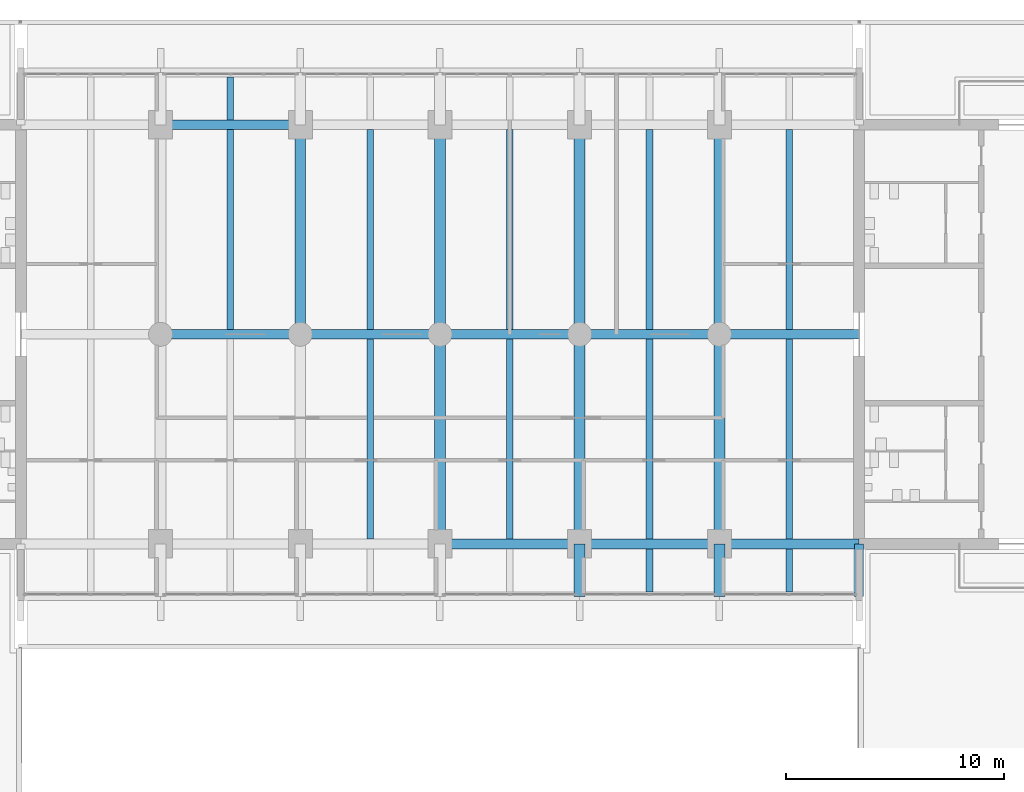
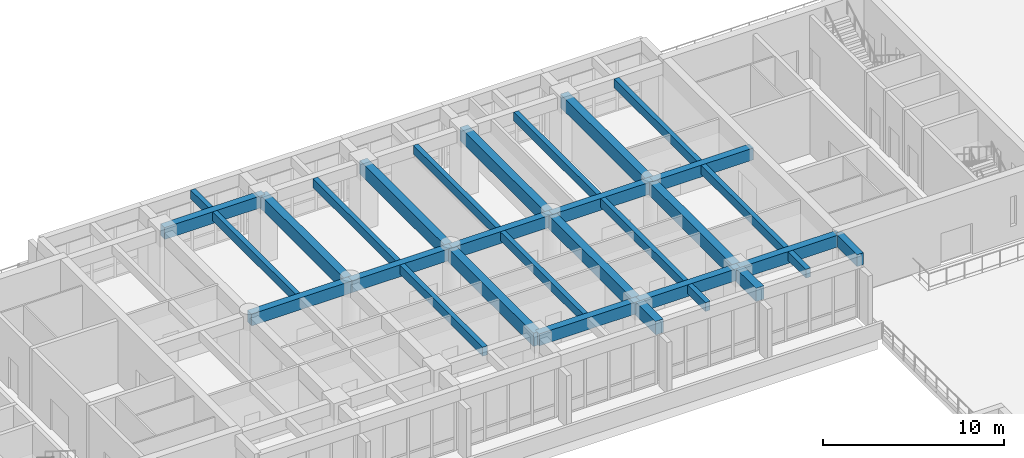
# One storey, part 5 of 21: 31 beams.
"""IFC4 building model written with IfcOpenShell, lengths in metres."""

import ifcopenshell
import ifcopenshell.guid

model = None  # the IFC model being written
_history = None  # IfcOwnerHistory: only IFC2X3 demands one
_inside = {}  # id of a spatial element -> (the spatial element, [elements in it])
_under = {}  # id of a project, library or spatial element -> (it, [spatial elements below it])
_declared = {}  # id of a project -> (the project, [libraries it declares])
_typed = {}  # id of a type object -> (the type object, [elements of that type])
_made_of = {}  # id of a material, layer set ... -> (it, [elements and type objects made of it])


def new_model(schema):
    """Start an empty IFC model of exactly this schema.

    Asked for "IFC4X3", IfcOpenShell would pick the latest addendum, in which some entities
    have other attributes; the version numbers below select the first issue.
    IFC2X3 requires an IfcOwnerHistory on every rooted entity: one is made here for all.
    """
    global model, _history
    if schema == "IFC4X3":
        model = ifcopenshell.file(schema_version=(4, 3, 0, 0))
    else:
        model = ifcopenshell.file(schema=schema)
    _inside.clear()
    _under.clear()
    _declared.clear()
    _typed.clear()
    _made_of.clear()
    _history = None
    if model.schema == "IFC2X3":
        org = make("IfcOrganization", Name="unknown")
        user = make(
            "IfcPersonAndOrganization",
            ThePerson=make("IfcPerson", FamilyName="unknown"),
            TheOrganization=org,
        )
        app = make(
            "IfcApplication",
            ApplicationDeveloper=org,
            Version="unknown",
            ApplicationFullName="unknown",
            ApplicationIdentifier="unknown",
        )
        _history = make(
            "IfcOwnerHistory",
            OwningUser=user,
            OwningApplication=app,
            ChangeAction="ADDED",
            CreationDate=0,
        )
    return model


def make(cls, **values):
    """One entity of the class cls with the attributes given. An attribute that is None is left unset."""
    return model.create_entity(
        cls, **{name: value for name, value in values.items() if value is not None}
    )


def rooted(cls, **values):
    """An entity with a GlobalId (a new one), such as an element, a storey or a relation."""
    return make(cls, GlobalId=ifcopenshell.guid.new(), OwnerHistory=_history, **values)


def si_unit(unit_type, name, prefix=None):
    """IfcSIUnit, for example si_unit("LENGTHUNIT", "METRE", prefix="MILLI")."""
    return make("IfcSIUnit", UnitType=unit_type, Prefix=prefix, Name=name)


def assignment(units):
    """IfcUnitAssignment: the units of a project."""
    return None if units is None else make("IfcUnitAssignment", Units=units)


def point(xyz):
    """IfcCartesianPoint."""
    return None if xyz is None else make("IfcCartesianPoint", Coordinates=xyz)


def direction(xyz):
    """IfcDirection."""
    return None if xyz is None else make("IfcDirection", DirectionRatios=xyz)


def frame(location, z_axis=None, x_axis=None):
    """IfcAxis2Placement3D, a coordinate frame: its origin and axes. An axis left out is left unset."""
    return make(
        "IfcAxis2Placement3D",
        Location=point(location),
        Axis=direction(z_axis),
        RefDirection=direction(x_axis),
    )


def frame_2d(location, x_axis=None):
    """IfcAxis2Placement2D, a coordinate frame in the plane: its origin and x axis."""
    return make(
        "IfcAxis2Placement2D", Location=point(location), RefDirection=direction(x_axis)
    )


def origin():
    """The frame at (0, 0, 0) with its axes left unset."""
    return frame((0.0, 0.0, 0.0))


def origin_2d():
    """The frame at (0, 0) in the plane with its x axis left unset."""
    return frame_2d((0.0, 0.0))


def place(relative_to, where):
    """IfcLocalPlacement: puts the frame where relative to a parent placement (None: the world)."""
    return make(
        "IfcLocalPlacement", PlacementRelTo=relative_to, RelativePlacement=where
    )


def context(
    kind, dimensions, precision=None, world=None, true_north=None, identifier=None
):
    """IfcGeometricRepresentationContext, for example the 3D "Model" context."""
    return make(
        "IfcGeometricRepresentationContext",
        ContextIdentifier=identifier,
        ContextType=kind,
        CoordinateSpaceDimension=dimensions,
        Precision=precision,
        WorldCoordinateSystem=world,
        TrueNorth=true_north,
    )


def subcontext(parent, identifier, kind, view, scale=None):
    """IfcGeometricRepresentationSubContext, for example "Body" below "Model"."""
    return make(
        "IfcGeometricRepresentationSubContext",
        ContextIdentifier=identifier,
        ContextType=kind,
        ParentContext=parent,
        TargetScale=scale,
        TargetView=view,
    )


def project(units=None, contexts=None):
    """IfcProject with its units and contexts."""
    return rooted(
        "IfcProject",
        Name="project",
        RepresentationContexts=contexts,
        UnitsInContext=assignment(units),
    )


def spatial(cls, under=None, at=None, **own):
    """A site, building, storey or space (cls), placed at a placement, below another one or the project."""
    s = rooted(cls, ObjectPlacement=at, **own)
    if under is not None:
        _under.setdefault(under.id(), (under, []))[1].append(s)
    return s


def profile(cls, at=None, kind="AREA", **sizes):
    """A parametric profile (cls). Its sizes go by their IFC names, for example OverallWidth=200.0."""
    return make(cls, ProfileType=kind, Position=at, **sizes)


def rectangle(**sizes):
    """IfcRectangleProfileDef."""
    return profile("IfcRectangleProfileDef", **sizes)


def extrude(swept, where, along, depth):
    """IfcExtrudedAreaSolid: the profile swept, set in the frame where, extruded along a direction by depth."""
    return make(
        "IfcExtrudedAreaSolid",
        SweptArea=swept,
        Position=where,
        ExtrudedDirection=direction(along),
        Depth=depth,
    )


def shape(context_of_items, identifier, shape_type, items):
    """IfcShapeRepresentation: the items that make up one representation, for example the "Body"."""
    return make(
        "IfcShapeRepresentation",
        ContextOfItems=context_of_items,
        RepresentationIdentifier=identifier,
        RepresentationType=shape_type,
        Items=items,
    )


def material(Name=None, Category=None):
    """IfcMaterial."""
    return make("IfcMaterial", Name=Name, Category=Category)


def material_profile(
    of_material, cross_section, Name=None, Category=None, Priority=None
):
    """IfcMaterialProfile: a cross section and its material."""
    return make(
        "IfcMaterialProfile",
        Name=Name,
        Material=of_material,
        Profile=cross_section,
        Priority=Priority,
        Category=Category,
    )


def profile_set(profiles, Name=None, composite=None):
    """IfcMaterialProfileSet."""
    return make(
        "IfcMaterialProfileSet",
        Name=Name,
        MaterialProfiles=profiles,
        CompositeProfile=composite,
    )


def made_of(thing, what):
    """Note that an element or type object is made of a material, layer set ...; save() writes the relation."""
    if what is not None:
        _made_of.setdefault(what.id(), (what, []))[1].append(thing)
    return thing


def type_object(cls, material=None, **own):
    """A type object (cls), such as IfcWallType, which elements share."""
    return made_of(rooted(cls, **own), material)


def element(
    cls,
    number,
    at=None,
    inside=None,
    cuts=None,
    type_object=None,
    material=None,
    context=None,
    identifier="Body",
    shape_type=None,
    held_by="IfcProductDefinitionShape",
    body=None,
    shapes=None,
    **own,
):
    """One element of the class cls, such as IfcWall. Its Tag is "e" and its number.

    at: its placement. inside: the storey or other place that contains it. cuts: it is an
    opening in that element (IfcRelVoidsElement). A single representation is given by context,
    identifier, shape_type and body (its items); several are given by shapes. held_by: the class
    of the entity that holds the representations. save() writes the other relations.
    """
    e = rooted(cls, Tag="e%d" % number, ObjectPlacement=at, **own)
    if body is not None:
        shapes = [shape(context, identifier, shape_type, body)]
    if shapes is not None:
        e.Representation = make(held_by, Representations=shapes)
    if inside is not None:
        _inside.setdefault(inside.id(), (inside, []))[1].append(e)
    if cuts is not None:
        rooted(
            "IfcRelVoidsElement", RelatingBuildingElement=cuts, RelatedOpeningElement=e
        )
    if type_object is not None:
        _typed.setdefault(type_object.id(), (type_object, []))[1].append(e)
    return made_of(e, material)


def aggregate(whole, parts):
    """IfcRelAggregates: a whole, such as a stair, and the parts it consists of."""
    return rooted("IfcRelAggregates", RelatingObject=whole, RelatedObjects=parts)


def save(model, path):
    """Write the relations noted so far, then the file.

    IfcRelAggregates (storeys below a building ...), IfcRelContainedInSpatialStructure (elements
    in a storey), IfcRelDefinesByType, IfcRelAssociatesMaterial and IfcRelDeclares: one each for
    every whole, place, type object, material and project.
    """
    for whole, parts in _under.values():
        aggregate(whole, parts)
    for where, things in _inside.values():
        rooted(
            "IfcRelContainedInSpatialStructure",
            RelatedElements=things,
            RelatingStructure=where,
        )
    for kind, things in _typed.values():
        rooted("IfcRelDefinesByType", RelatedObjects=things, RelatingType=kind)
    for what, things in _made_of.values():
        rooted("IfcRelAssociatesMaterial", RelatedObjects=things, RelatingMaterial=what)
    for by, libraries in _declared.values():
        rooted("IfcRelDeclares", RelatingContext=by, RelatedDefinitions=libraries)
    model.write(path)


model = new_model("IFC4")

# Units and contexts
model_context = context("Model", 3, precision=1e-05, world=origin(), true_north=direction((0.0, 1.0)))
body_context = subcontext(model_context, "Body", "Model", "MODEL_VIEW")
ifc_project = project(units=[si_unit("LENGTHUNIT", "METRE"), si_unit("AREAUNIT", "SQUARE_METRE"), si_unit("VOLUMEUNIT", "CUBIC_METRE"), si_unit("PLANEANGLEUNIT", "RADIAN"), si_unit("MASSUNIT", "GRAM", prefix="KILO")], contexts=[model_context])

# Site, building, storey
site_placement = place(None, origin())
site = spatial("IfcSite", under=ifc_project, at=site_placement, CompositionType="ELEMENT")
building_placement = place(site_placement, origin())
building = spatial("IfcBuilding", under=site, at=building_placement, Name="Fogon Plaza Fire Station and Headquarters Tower", CompositionType="ELEMENT")
storey_placement = place(building_placement, frame((0.0, 0.0, 8.39990234375)))
storey = spatial("IfcBuildingStorey", under=building, at=storey_placement, Name="L02", CompositionType="ELEMENT", Elevation=8.39990234375)

# Beams
ifc_material_1 = material(Name="Concrete C40", Category="concrete")
ifc_material_profile_1 = material_profile(ifc_material_1, rectangle(XDim=0.39990234375, YDim=0.800048828125, at=origin_2d()), Name="RC 400x800")
ifc_profile_set_1 = profile_set([ifc_material_profile_1], Name="Concrete C40")
beam_type_1 = type_object("IfcBeamType", Name="BEAM RC 400x800 SPAN 0.0 TO 3.0 M", PredefinedType="BEAM", material=ifc_profile_set_1)
beam_1_placement = place(storey_placement, frame((64.0, 31.199951171875, 3.880126953125), z_axis=(0.0, 1.0, 0.0), x_axis=(-1.0, 0.0, 0.0)))
element("IfcBeam", 1, at=beam_1_placement, inside=storey, type_object=beam_type_1, Name="beam-L02-053", PredefinedType="BEAM", context=body_context, shape_type="SweptSolid", body=[
    extrude(rectangle(XDim=0.39990234375, YDim=0.800048828125, at=origin_2d()), origin(), (0.0, 0.0, 1.0), 2.400146484375),
])
ifc_material_2 = material(Name="Concrete C40", Category="concrete")
ifc_material_profile_2 = material_profile(ifc_material_2, rectangle(XDim=0.449951171875, YDim=0.800048828125, at=origin_2d()), Name="RC 450x800")
ifc_profile_set_2 = profile_set([ifc_material_profile_2], Name="Concrete C40")
beam_type_2 = type_object("IfcBeamType", Name="BEAM RC 450x800", PredefinedType="BEAM", material=ifc_profile_set_2)
beam_2_placement = place(storey_placement, frame((44.800048828125, 33.60009765625, 3.880126953125), z_axis=(1.0, 0.0, 0.0), x_axis=(0.0, 1.0, 0.0)))
element("IfcBeam", 2, at=beam_2_placement, inside=storey, type_object=beam_type_2, Name="beam-L02-024", PredefinedType="BEAM", context=body_context, shape_type="SweptSolid", body=[
    extrude(rectangle(XDim=0.449951171875, YDim=0.800048828125, at=origin_2d()), origin(), (0.0, 0.0, 1.0), 6.39990234375),
])
beam_3_placement = place(storey_placement, frame((51.199951171875, 33.60009765625, 3.880126953125), z_axis=(1.0, 0.0, 0.0), x_axis=(0.0, 1.0, 0.0)))
element("IfcBeam", 3, at=beam_3_placement, inside=storey, type_object=beam_type_2, Name="beam-L02-025", PredefinedType="BEAM", context=body_context, shape_type="SweptSolid", body=[
    extrude(rectangle(XDim=0.449951171875, YDim=0.800048828125, at=origin_2d()), origin(), (0.0, 0.0, 1.0), 6.400146484375),
])
for number, where, z_axis, x_axis, name in (
    (4, (57.60009765625, 33.60009765625, 3.880126953125), (1.0, 0.0, 0.0), (0.0, 1.0, 0.0), "beam-L02-026"),
    (5, (32.0, 43.199951171875, 3.880126953125), (1.0, 0.0, 0.0), (0.0, 1.0, 0.0), "beam-L02-028"),
):
    element("IfcBeam", number, at=place(storey_placement, frame(where, z_axis=z_axis, x_axis=x_axis)), inside=storey, type_object=beam_type_2, Name=name, PredefinedType="BEAM", context=body_context, shape_type="SweptSolid", body=[
        extrude(rectangle(XDim=0.449951171875, YDim=0.800048828125, at=origin_2d()), origin(), (0.0, 0.0, 1.0), 6.39990234375),
    ])
beam_4_placement = place(storey_placement, frame((38.39990234375, 43.199951171875, 3.880126953125), z_axis=(1.0, 0.0, 0.0), x_axis=(0.0, 1.0, 0.0)))
element("IfcBeam", 6, at=beam_4_placement, inside=storey, type_object=beam_type_2, Name="beam-L02-029", PredefinedType="BEAM", context=body_context, shape_type="SweptSolid", body=[
    extrude(rectangle(XDim=0.449951171875, YDim=0.800048828125, at=origin_2d()), origin(), (0.0, 0.0, 1.0), 6.400146484375),
])
beam_5_placement = place(storey_placement, frame((44.800048828125, 43.199951171875, 3.880126953125), z_axis=(1.0, 0.0, 0.0), x_axis=(0.0, 1.0, 0.0)))
element("IfcBeam", 7, at=beam_5_placement, inside=storey, type_object=beam_type_2, Name="beam-L02-030", PredefinedType="BEAM", context=body_context, shape_type="SweptSolid", body=[
    extrude(rectangle(XDim=0.449951171875, YDim=0.800048828125, at=origin_2d()), origin(), (0.0, 0.0, 1.0), 6.39990234375),
])
beam_6_placement = place(storey_placement, frame((51.199951171875, 43.199951171875, 3.880126953125), z_axis=(1.0, 0.0, 0.0), x_axis=(0.0, 1.0, 0.0)))
element("IfcBeam", 8, at=beam_6_placement, inside=storey, type_object=beam_type_2, Name="beam-L02-031", PredefinedType="BEAM", context=body_context, shape_type="SweptSolid", body=[
    extrude(rectangle(XDim=0.449951171875, YDim=0.800048828125, at=origin_2d()), origin(), (0.0, 0.0, 1.0), 6.400146484375),
])
for number, where, z_axis, x_axis, name in (
    (9, (57.60009765625, 43.199951171875, 3.880126953125), (1.0, 0.0, 0.0), (0.0, 1.0, 0.0), "beam-L02-032"),
    (10, (32.0, 52.800048828125, 3.880126953125), (1.0, 0.0, 0.0), (0.0, 1.0, 0.0), "beam-L02-034"),
):
    element("IfcBeam", number, at=place(storey_placement, frame(where, z_axis=z_axis, x_axis=x_axis)), inside=storey, type_object=beam_type_2, Name=name, PredefinedType="BEAM", context=body_context, shape_type="SweptSolid", body=[
        extrude(rectangle(XDim=0.449951171875, YDim=0.800048828125, at=origin_2d()), origin(), (0.0, 0.0, 1.0), 6.39990234375),
    ])
ifc_material_3 = material(Name="Concrete C40", Category="concrete")
ifc_material_profile_3 = material_profile(ifc_material_3, rectangle(XDim=0.5, YDim=0.89990234375, at=origin_2d()), Name="RC 500x900")
ifc_profile_set_3 = profile_set([ifc_material_profile_3], Name="Concrete C40")
beam_type_3 = type_object("IfcBeamType", Name="BEAM RC 500x900 SPAN 0.0 TO 3.0 M", PredefinedType="BEAM", material=ifc_profile_set_3)
for number, where, z_axis, x_axis, name in (
    (11, (51.199951171875, 31.199951171875, 3.830078125), (0.0, 1.0, 0.0), (-1.0, 0.0, 0.0), "beam-L02-013"),
    (12, (57.60009765625, 31.199951171875, 3.830078125), (0.0, 1.0, 0.0), (-1.0, 0.0, 0.0), "beam-L02-017"),
):
    element("IfcBeam", number, at=place(storey_placement, frame(where, z_axis=z_axis, x_axis=x_axis)), inside=storey, type_object=beam_type_3, Name=name, PredefinedType="BEAM", context=body_context, shape_type="SweptSolid", body=[
        extrude(rectangle(XDim=0.5, YDim=0.89990234375, at=origin_2d()), origin(), (0.0, 0.0, 1.0), 2.400146484375),
    ])
ifc_material_4 = material(Name="Concrete C40", Category="concrete")
ifc_material_profile_4 = material_profile(ifc_material_4, rectangle(XDim=0.5, YDim=0.89990234375, at=origin_2d()), Name="RC 500x900")
ifc_profile_set_4 = profile_set([ifc_material_profile_4], Name="Concrete C40")
beam_type_4 = type_object("IfcBeamType", Name="BEAM RC 500x900 SPAN 7.7 TO 12.3 M", PredefinedType="BEAM", material=ifc_profile_set_4)
beam_7_placement = place(storey_placement, frame((38.39990234375, 43.199951171875, 3.830078125), z_axis=(0.0, 1.0, 0.0), x_axis=(-1.0, 0.0, 0.0)))
element("IfcBeam", 13, at=beam_7_placement, inside=storey, type_object=beam_type_4, Name="beam-L02-007", PredefinedType="BEAM", context=body_context, shape_type="SweptSolid", body=[
    extrude(rectangle(XDim=0.5, YDim=0.89990234375, at=origin_2d()), origin(), (0.0, 0.0, 1.0), 9.60009765625),
])
beam_8_placement = place(storey_placement, frame((44.800048828125, 33.60009765625, 3.830078125), z_axis=(0.0, 1.0, 0.0), x_axis=(-1.0, 0.0, 0.0)))
element("IfcBeam", 14, at=beam_8_placement, inside=storey, type_object=beam_type_4, Name="beam-L02-010", PredefinedType="BEAM", context=body_context, shape_type="SweptSolid", body=[
    extrude(rectangle(XDim=0.5, YDim=0.89990234375, at=origin_2d()), origin(), (0.0, 0.0, 1.0), 9.599853515625),
])
beam_9_placement = place(storey_placement, frame((44.800048828125, 43.199951171875, 3.830078125), z_axis=(0.0, 1.0, 0.0), x_axis=(-1.0, 0.0, 0.0)))
element("IfcBeam", 15, at=beam_9_placement, inside=storey, type_object=beam_type_4, Name="beam-L02-011", PredefinedType="BEAM", context=body_context, shape_type="SweptSolid", body=[
    extrude(rectangle(XDim=0.5, YDim=0.89990234375, at=origin_2d()), origin(), (0.0, 0.0, 1.0), 9.60009765625),
])
beam_10_placement = place(storey_placement, frame((51.199951171875, 33.60009765625, 3.830078125), z_axis=(0.0, 1.0, 0.0), x_axis=(-1.0, 0.0, 0.0)))
element("IfcBeam", 16, at=beam_10_placement, inside=storey, type_object=beam_type_4, Name="beam-L02-014", PredefinedType="BEAM", context=body_context, shape_type="SweptSolid", body=[
    extrude(rectangle(XDim=0.5, YDim=0.89990234375, at=origin_2d()), origin(), (0.0, 0.0, 1.0), 9.599853515625),
])
beam_11_placement = place(storey_placement, frame((51.199951171875, 43.199951171875, 3.830078125), z_axis=(0.0, 1.0, 0.0), x_axis=(-1.0, 0.0, 0.0)))
element("IfcBeam", 17, at=beam_11_placement, inside=storey, type_object=beam_type_4, Name="beam-L02-015", PredefinedType="BEAM", context=body_context, shape_type="SweptSolid", body=[
    extrude(rectangle(XDim=0.5, YDim=0.89990234375, at=origin_2d()), origin(), (0.0, 0.0, 1.0), 9.60009765625),
])
beam_12_placement = place(storey_placement, frame((57.60009765625, 33.60009765625, 3.830078125), z_axis=(0.0, 1.0, 0.0), x_axis=(-1.0, 0.0, 0.0)))
element("IfcBeam", 18, at=beam_12_placement, inside=storey, type_object=beam_type_4, Name="beam-L02-018", PredefinedType="BEAM", context=body_context, shape_type="SweptSolid", body=[
    extrude(rectangle(XDim=0.5, YDim=0.89990234375, at=origin_2d()), origin(), (0.0, 0.0, 1.0), 9.599853515625),
])
beam_13_placement = place(storey_placement, frame((57.60009765625, 43.199951171875, 3.830078125), z_axis=(0.0, 1.0, 0.0), x_axis=(-1.0, 0.0, 0.0)))
element("IfcBeam", 19, at=beam_13_placement, inside=storey, type_object=beam_type_4, Name="beam-L02-019", PredefinedType="BEAM", context=body_context, shape_type="SweptSolid", body=[
    extrude(rectangle(XDim=0.5, YDim=0.89990234375, at=origin_2d()), origin(), (0.0, 0.0, 1.0), 9.60009765625),
])
ifc_material_5 = material(Name="Concrete C40", Category="concrete")
ifc_material_profile_5 = material_profile(ifc_material_5, rectangle(XDim=0.300048828125, YDim=0.60009765625, at=origin_2d()), Name="RC 300x600")
ifc_profile_set_5 = profile_set([ifc_material_profile_5], Name="Concrete C40")
beam_type_5 = type_object("IfcBeamType", Name="JOIST RC 300x600", PredefinedType="JOIST", material=ifc_profile_set_5)
beam_14_placement = place(storey_placement, frame((35.199951171875, 43.425048828125, 3.97998046875), z_axis=(0.0, 1.0, 0.0), x_axis=(-1.0, 0.0, 0.0)))
element("IfcBeam", 20, at=beam_14_placement, inside=storey, type_object=beam_type_5, Name="beam-L02-061", PredefinedType="JOIST", context=body_context, shape_type="SweptSolid", body=[
    extrude(rectangle(XDim=0.300048828125, YDim=0.60009765625, at=origin_2d()), origin(), (0.0, 0.0, 1.0), 9.14990234375),
])
beam_15_placement = place(storey_placement, frame((41.60009765625, 33.824951171875, 3.97998046875), z_axis=(0.0, 1.0, 0.0), x_axis=(-1.0, 0.0, 0.0)))
element("IfcBeam", 21, at=beam_15_placement, inside=storey, type_object=beam_type_5, Name="beam-L02-064", PredefinedType="JOIST", context=body_context, shape_type="SweptSolid", body=[
    extrude(rectangle(XDim=0.300048828125, YDim=0.60009765625, at=origin_2d()), origin(), (0.0, 0.0, 1.0), 9.150146484375),
])
beam_16_placement = place(storey_placement, frame((41.60009765625, 43.425048828125, 3.97998046875), z_axis=(0.0, 1.0, 0.0), x_axis=(-1.0, 0.0, 0.0)))
element("IfcBeam", 22, at=beam_16_placement, inside=storey, type_object=beam_type_5, Name="beam-L02-065", PredefinedType="JOIST", context=body_context, shape_type="SweptSolid", body=[
    extrude(rectangle(XDim=0.300048828125, YDim=0.60009765625, at=origin_2d()), origin(), (0.0, 0.0, 1.0), 9.14990234375),
])
beam_17_placement = place(storey_placement, frame((48.0, 33.824951171875, 3.97998046875), z_axis=(0.0, 1.0, 0.0), x_axis=(-1.0, 0.0, 0.0)))
element("IfcBeam", 23, at=beam_17_placement, inside=storey, type_object=beam_type_5, Name="beam-L02-068", PredefinedType="JOIST", context=body_context, shape_type="SweptSolid", body=[
    extrude(rectangle(XDim=0.300048828125, YDim=0.60009765625, at=origin_2d()), origin(), (0.0, 0.0, 1.0), 9.150146484375),
])
beam_18_placement = place(storey_placement, frame((48.0, 43.425048828125, 3.97998046875), z_axis=(0.0, 1.0, 0.0), x_axis=(-1.0, 0.0, 0.0)))
element("IfcBeam", 24, at=beam_18_placement, inside=storey, type_object=beam_type_5, Name="beam-L02-069", PredefinedType="JOIST", context=body_context, shape_type="SweptSolid", body=[
    extrude(rectangle(XDim=0.300048828125, YDim=0.60009765625, at=origin_2d()), origin(), (0.0, 0.0, 1.0), 9.14990234375),
])
beam_19_placement = place(storey_placement, frame((54.39990234375, 33.824951171875, 3.97998046875), z_axis=(0.0, 1.0, 0.0), x_axis=(-1.0, 0.0, 0.0)))
element("IfcBeam", 25, at=beam_19_placement, inside=storey, type_object=beam_type_5, Name="beam-L02-072", PredefinedType="JOIST", context=body_context, shape_type="SweptSolid", body=[
    extrude(rectangle(XDim=0.300048828125, YDim=0.60009765625, at=origin_2d()), origin(), (0.0, 0.0, 1.0), 9.150146484375),
])
beam_20_placement = place(storey_placement, frame((54.39990234375, 43.425048828125, 3.97998046875), z_axis=(0.0, 1.0, 0.0), x_axis=(-1.0, 0.0, 0.0)))
element("IfcBeam", 26, at=beam_20_placement, inside=storey, type_object=beam_type_5, Name="beam-L02-073", PredefinedType="JOIST", context=body_context, shape_type="SweptSolid", body=[
    extrude(rectangle(XDim=0.300048828125, YDim=0.60009765625, at=origin_2d()), origin(), (0.0, 0.0, 1.0), 9.14990234375),
])
beam_21_placement = place(storey_placement, frame((60.800048828125, 33.824951171875, 3.97998046875), z_axis=(0.0, 1.0, 0.0), x_axis=(-1.0, 0.0, 0.0)))
element("IfcBeam", 27, at=beam_21_placement, inside=storey, type_object=beam_type_5, Name="beam-L02-076", PredefinedType="JOIST", context=body_context, shape_type="SweptSolid", body=[
    extrude(rectangle(XDim=0.300048828125, YDim=0.60009765625, at=origin_2d()), origin(), (0.0, 0.0, 1.0), 9.150146484375),
])
beam_22_placement = place(storey_placement, frame((60.800048828125, 43.425048828125, 3.97998046875), z_axis=(0.0, 1.0, 0.0), x_axis=(-1.0, 0.0, 0.0)))
element("IfcBeam", 28, at=beam_22_placement, inside=storey, type_object=beam_type_5, Name="beam-L02-077", PredefinedType="JOIST", context=body_context, shape_type="SweptSolid", body=[
    extrude(rectangle(XDim=0.300048828125, YDim=0.60009765625, at=origin_2d()), origin(), (0.0, 0.0, 1.0), 9.14990234375),
])
ifc_material_6 = material(Name="Concrete C40", Category="concrete")
ifc_material_profile_6 = material_profile(ifc_material_6, rectangle(XDim=0.300048828125, YDim=0.60009765625, at=origin_2d()), Name="RC 300x600")
ifc_profile_set_6 = profile_set([ifc_material_profile_6], Name="Concrete C40")
beam_type_6 = type_object("IfcBeamType", Name="JOIST RC 300x600 SPAN 0.0 TO 3.0 M", PredefinedType="JOIST", material=ifc_profile_set_6)
for number, where, z_axis, x_axis, name in (
    (29, (35.199951171875, 53.02490234375, 3.97998046875), (0.0, 1.0, 0.0), (-1.0, 0.0, 0.0), "beam-L02-062"),
    (30, (54.39990234375, 31.39990234375, 3.97998046875), (0.0, 1.0, 0.0), (-1.0, 0.0, 0.0), "beam-L02-071"),
    (31, (60.800048828125, 31.39990234375, 3.97998046875), (0.0, 1.0, 0.0), (-1.0, 0.0, 0.0), "beam-L02-075"),
):
    element("IfcBeam", number, at=place(storey_placement, frame(where, z_axis=z_axis, x_axis=x_axis)), inside=storey, type_object=beam_type_6, Name=name, PredefinedType="JOIST", context=body_context, shape_type="SweptSolid", body=[
        extrude(rectangle(XDim=0.300048828125, YDim=0.60009765625, at=origin_2d()), origin(), (0.0, 0.0, 1.0), 1.97509765625),
    ])

save(model, "model.ifc")
